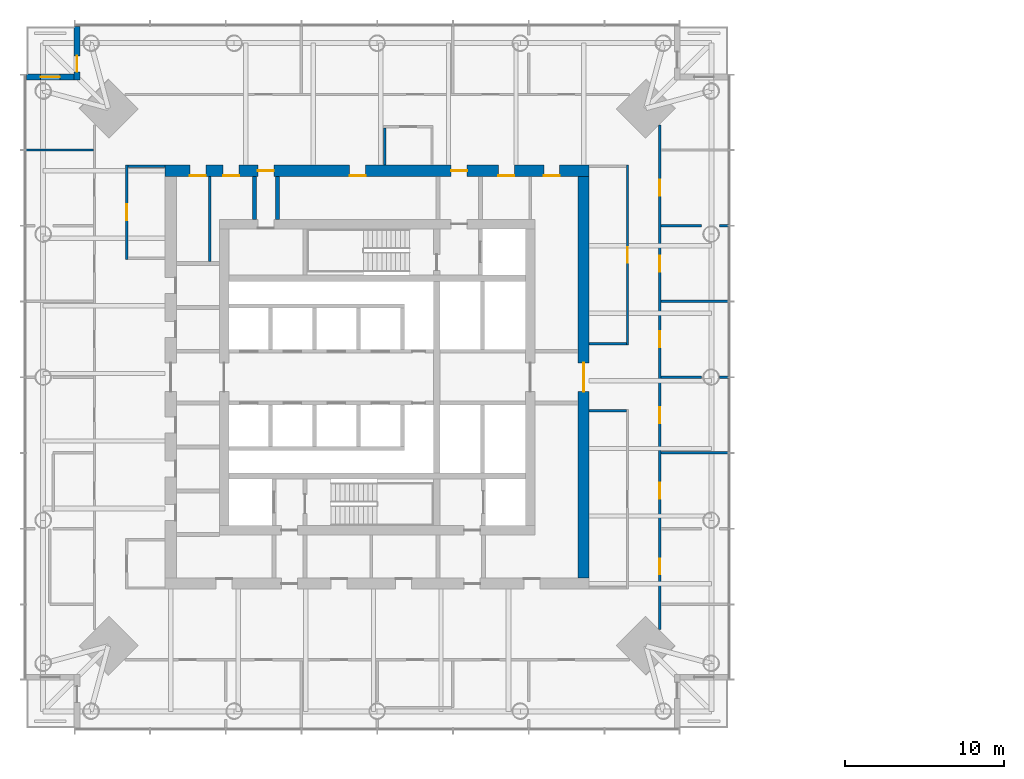
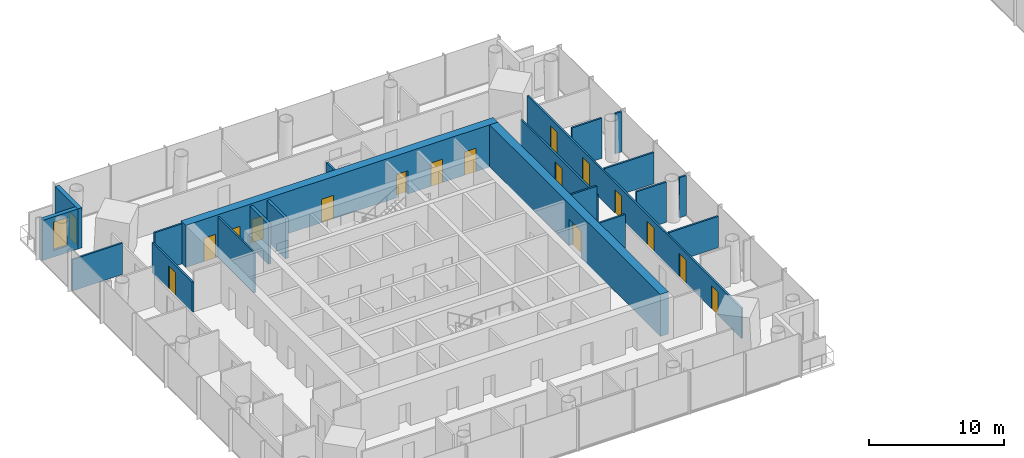
# One storey, part 11 of 19: 21 walls, 17 doors, 1 window, 18 openings.
"""IFC4 building model written with IfcOpenShell, lengths in metres."""

from ifc_helpers import new_model, si_unit, direction, frame, frame_2d, origin, place, context, subcontext, project, spatial, rectangle, extrude, material, layer, layer_set, type_object, element, fill, save


model = new_model("IFC4")

# Units and contexts
model_context = context("Model", 3, precision=1e-05, world=origin(), true_north=direction((0.0, 1.0)))
body_context = subcontext(model_context, "Body", "Model", "MODEL_VIEW")
ifc_project = project(units=[si_unit("LENGTHUNIT", "METRE"), si_unit("AREAUNIT", "SQUARE_METRE"), si_unit("VOLUMEUNIT", "CUBIC_METRE"), si_unit("PLANEANGLEUNIT", "RADIAN"), si_unit("MASSUNIT", "GRAM", prefix="KILO")], contexts=[model_context])

# Site, building, storey
site_placement = place(None, origin())
site = spatial("IfcSite", under=ifc_project, at=site_placement, CompositionType="ELEMENT")
building_placement = place(site_placement, origin())
building = spatial("IfcBuilding", under=site, at=building_placement, Name="Ostroluk Exchange", CompositionType="ELEMENT")
storey_placement = place(building_placement, frame((0.0, 0.0, 116.0)))
storey = spatial("IfcBuildingStorey", under=building, at=storey_placement, Name="L29", CompositionType="ELEMENT", Elevation=116.0)

# Walls
ifc_material_1 = material(Name="Concrete blockwork", Category="masonry")
ifc_layer_1 = layer(ifc_material_1, 0.14990234375)
ifc_layer_set_1 = layer_set([ifc_layer_1], Name="Blockwork plant room wall 150")
wall_type_1 = type_object("IfcWallType", Name="Blockwork plant room wall 150", PredefinedType="SOLIDWALL", material=ifc_layer_set_1)
wall_1_placement = place(storey_placement, frame((34.5009765625, 53.25, 0.0), z_axis=(0.0, 0.0, 1.0), x_axis=(0.0, 1.0, 0.0)))
element("IfcWall", 1, at=wall_1_placement, inside=storey, type_object=wall_type_1, Name="Core room wall", PredefinedType="SOLIDWALL", context=body_context, shape_type="SweptSolid", body=[
    extrude(rectangle(XDim=5.35009765625, YDim=0.14990234375, at=frame_2d((2.675048828125, 0.0))), origin(), (0.0, 0.0, 1.0), 3.6201171875),
])
ifc_material_2 = material(Name="Concrete blockwork", Category="masonry")
ifc_layer_2 = layer(ifc_material_2, 0.25)
ifc_layer_set_2 = layer_set([ifc_layer_2], Name="Blockwork stair enclosure wall 250")
wall_type_2 = type_object("IfcWallType", Name="Blockwork stair enclosure wall 250", PredefinedType="SOLIDWALL", material=ifc_layer_set_2)
for number, where, z_axis, x_axis, name in (
    (2, (37.300048828125, 55.89990234375, 0.0), (0.0, 0.0, 1.0), (0.0, 1.0, 0.0), "Core corridor wall"),
    (3, (38.75, 55.89990234375, 0.0), (0.0, 0.0, 1.0), (0.0, 1.0, 0.0), "Core corridor wall"),
):
    element("IfcWall", number, at=place(storey_placement, frame(where, z_axis=z_axis, x_axis=x_axis)), inside=storey, type_object=wall_type_2, Name=name, PredefinedType="SOLIDWALL", context=body_context, shape_type="SweptSolid", body=[
        extrude(rectangle(XDim=2.7001953125, YDim=0.25, at=frame_2d((1.35009765625, 0.0))), origin(), (0.0, 0.0, 1.0), 3.6201171875),
    ])

# Wall, openings, doors
ifc_material_3 = material(Name="Concrete C50/60", Category="concrete")
ifc_layer_3 = layer(ifc_material_3, 0.699951171875)
ifc_layer_set_3 = layer_set([ifc_layer_3], Name="Core wall 700 C50/60")
wall_type_3 = type_object("IfcWallType", Name="Core wall 700 C50/60", PredefinedType="SHEAR", material=ifc_layer_set_3)
wall_2_placement = place(storey_placement, frame((31.699951171875, 58.949951171875, 0.0), z_axis=(0.0, 0.0, 1.0), x_axis=(1.0, 0.0, 0.0)))
wall_2 = element("IfcWall", 4, at=wall_2_placement, inside=storey, type_object=wall_type_3, Name="T1 core wall RN", PredefinedType="SHEAR", context=body_context, shape_type="SweptSolid", body=[
    extrude(rectangle(XDim=26.60009765625, YDim=0.699951171875, at=frame_2d((13.300048828125, 0.0))), origin(), (0.0, 0.0, 1.0), 3.800048828125),
])
opening_1_placement = place(wall_2_placement, frame((17.93994140625, 0.0, 0.0)))
opening_1 = element("IfcOpeningElement", 5, at=opening_1_placement, cuts=wall_2, Name="Opening FD60", PredefinedType="OPENING", context=body_context, shape_type="SweptSolid", body=[
    extrude(rectangle(XDim=1.0, YDim=2.10009765625, at=frame_2d((0.5, 1.050048828125))), frame((0.0, 0.35986328125, 0.0), z_axis=(0.0, -1.0, 0.0), x_axis=(1.0, 0.0, 0.0)), (0.0, 0.0, 1.0), 0.719970703125),
])
opening_2_placement = place(wall_2_placement, frame((5.824951171875, 0.0, 0.0)))
opening_2 = element("IfcOpeningElement", 6, at=opening_2_placement, cuts=wall_2, Name="Opening FD60", PredefinedType="OPENING", context=body_context, shape_type="SweptSolid", body=[
    extrude(rectangle(XDim=1.0, YDim=2.10009765625, at=frame_2d((0.5, 1.050048828125))), frame((0.0, 0.35986328125, 0.0), z_axis=(0.0, -1.0, 0.0), x_axis=(1.0, 0.0, 0.0)), (0.0, 0.0, 1.0), 0.719970703125),
])
opening_3_placement = place(wall_2_placement, frame((1.551025390625, 0.0, 0.0)))
opening_3 = element("IfcOpeningElement", 7, at=opening_3_placement, cuts=wall_2, Name="Opening FD60", PredefinedType="OPENING", context=body_context, shape_type="SweptSolid", body=[
    extrude(rectangle(XDim=1.0, YDim=2.10009765625, at=frame_2d((0.5, 1.050048828125))), frame((0.0, 0.35986328125, 0.0), z_axis=(0.0, -1.0, 0.0), x_axis=(1.0, 0.0, 0.0)), (0.0, 0.0, 1.0), 0.719970703125),
])
opening_4_placement = place(wall_2_placement, frame((3.637939453125, 0.0, 0.0)))
opening_4 = element("IfcOpeningElement", 8, at=opening_4_placement, cuts=wall_2, Name="Opening FD60", PredefinedType="OPENING", context=body_context, shape_type="SweptSolid", body=[
    extrude(rectangle(XDim=1.0, YDim=2.10009765625, at=frame_2d((0.5, 1.050048828125))), frame((0.0, 0.35986328125, 0.0), z_axis=(0.0, -1.0, 0.0), x_axis=(1.0, 0.0, 0.0)), (0.0, 0.0, 1.0), 0.719970703125),
])
opening_5_placement = place(wall_2_placement, frame((11.577392578125, 0.0, 0.0)))
opening_5 = element("IfcOpeningElement", 9, at=opening_5_placement, cuts=wall_2, Name="Opening FD60", PredefinedType="OPENING", context=body_context, shape_type="SweptSolid", body=[
    extrude(rectangle(XDim=1.0, YDim=2.10009765625, at=frame_2d((0.5, 1.050048828125))), frame((0.0, 0.35986328125, 0.0), z_axis=(0.0, -1.0, 0.0), x_axis=(1.0, 0.0, 0.0)), (0.0, 0.0, 1.0), 0.719970703125),
])
opening_6_placement = place(wall_2_placement, frame((20.89990234375, 0.0, 0.0)))
opening_6 = element("IfcOpeningElement", 10, at=opening_6_placement, cuts=wall_2, Name="Opening FD60", PredefinedType="OPENING", context=body_context, shape_type="SweptSolid", body=[
    extrude(rectangle(XDim=1.0, YDim=2.10009765625, at=frame_2d((0.5, 1.050048828125))), frame((0.0, 0.35986328125, 0.0), z_axis=(0.0, -1.0, 0.0), x_axis=(1.0, 0.0, 0.0)), (0.0, 0.0, 1.0), 0.719970703125),
])
opening_7_placement = place(wall_2_placement, frame((23.75, 0.0, 0.0)))
opening_7 = element("IfcOpeningElement", 11, at=opening_7_placement, cuts=wall_2, Name="Opening FD60", PredefinedType="OPENING", context=body_context, shape_type="SweptSolid", body=[
    extrude(rectangle(XDim=1.0, YDim=2.10009765625, at=frame_2d((0.5, 1.050048828125))), frame((0.0, 0.35986328125, 0.0), z_axis=(0.0, -1.0, 0.0), x_axis=(1.0, 0.0, 0.0)), (0.0, 0.0, 1.0), 0.719970703125),
])
ifc_material_4 = material(Name="Steel", Category="steel")
door_type_1 = type_object("IfcDoorType", Name="Fire door EI 60 1000 x 2100", OperationType="SINGLE_SWING_LEFT", PredefinedType="DOOR", material=ifc_material_4)
door_1_placement = place(opening_1_placement, origin())
door_1 = element("IfcDoor", 12, at=door_1_placement, inside=storey, type_object=door_type_1, Name="Firefighting lobby door", OperationType="SINGLE_SWING_RIGHT", OverallHeight=2.10009765625, OverallWidth=1.0, PredefinedType="DOOR", context=body_context, shape_type="SweptSolid", body=[
    extrude(rectangle(XDim=1.0, YDim=2.10009765625, at=frame_2d((0.5, 1.050048828125))), frame((0.0, 0.02490234375, 0.0), z_axis=(0.0, -1.0, 0.0), x_axis=(1.0, 0.0, 0.0)), (0.0, 0.0, 1.0), 0.050048828125),
])
fill(opening_1, door_1)
door_2_placement = place(opening_2_placement, origin())
door_2 = element("IfcDoor", 13, at=door_2_placement, inside=storey, type_object=door_type_1, Name="Core corridor door", OperationType="SINGLE_SWING_LEFT", OverallHeight=2.10009765625, OverallWidth=1.0, PredefinedType="DOOR", context=body_context, shape_type="SweptSolid", body=[
    extrude(rectangle(XDim=1.0, YDim=2.10009765625, at=frame_2d((0.5, 1.050048828125))), frame((0.0, 0.02490234375, 0.0), z_axis=(0.0, -1.0, 0.0), x_axis=(1.0, 0.0, 0.0)), (0.0, 0.0, 1.0), 0.050048828125),
])
fill(opening_2, door_2)
door_3_placement = place(opening_3_placement, origin())
door_3 = element("IfcDoor", 14, at=door_3_placement, inside=storey, type_object=door_type_1, Name="Tenant IT room door", OperationType="SINGLE_SWING_LEFT", OverallHeight=2.10009765625, OverallWidth=1.0, PredefinedType="DOOR", context=body_context, shape_type="SweptSolid", body=[
    extrude(rectangle(XDim=1.0, YDim=2.10009765625, at=frame_2d((0.5, 1.050048828125))), frame((0.0, -0.2900390625, 0.0), z_axis=(0.0, -1.0, 0.0), x_axis=(1.0, 0.0, 0.0)), (0.0, 0.0, 1.0), 0.050048828125),
])
fill(opening_3, door_3)
door_4_placement = place(opening_4_placement, origin())
door_4 = element("IfcDoor", 15, at=door_4_placement, inside=storey, type_object=door_type_1, Name="First aid room door", OperationType="SINGLE_SWING_LEFT", OverallHeight=2.10009765625, OverallWidth=1.0, PredefinedType="DOOR", context=body_context, shape_type="SweptSolid", body=[
    extrude(rectangle(XDim=1.0, YDim=2.10009765625, at=frame_2d((0.5, 1.050048828125))), frame((0.0, -0.2900390625, 0.0), z_axis=(0.0, -1.0, 0.0), x_axis=(1.0, 0.0, 0.0)), (0.0, 0.0, 1.0), 0.050048828125),
])
fill(opening_4, door_4)
door_5_placement = place(opening_5_placement, origin())
door_5 = element("IfcDoor", 16, at=door_5_placement, inside=storey, type_object=door_type_1, Name="Print and post room door", OperationType="SINGLE_SWING_LEFT", OverallHeight=2.10009765625, OverallWidth=1.0, PredefinedType="DOOR", context=body_context, shape_type="SweptSolid", body=[
    extrude(rectangle(XDim=1.0, YDim=2.10009765625, at=frame_2d((0.5, 1.050048828125))), frame((0.0, -0.2900390625, 0.0), z_axis=(0.0, -1.0, 0.0), x_axis=(1.0, 0.0, 0.0)), (0.0, 0.0, 1.0), 0.050048828125),
])
fill(opening_5, door_5)
door_6_placement = place(opening_6_placement, origin())
door_6 = element("IfcDoor", 17, at=door_6_placement, inside=storey, type_object=door_type_1, Name="First aid room door", OperationType="SINGLE_SWING_RIGHT", OverallHeight=2.10009765625, OverallWidth=1.0, PredefinedType="DOOR", context=body_context, shape_type="SweptSolid", body=[
    extrude(rectangle(XDim=1.0, YDim=2.10009765625, at=frame_2d((0.5, 1.050048828125))), frame((0.0, -0.2900390625, 0.0), z_axis=(0.0, -1.0, 0.0), x_axis=(1.0, 0.0, 0.0)), (0.0, 0.0, 1.0), 0.050048828125),
])
fill(opening_6, door_6)
door_7_placement = place(opening_7_placement, origin())
door_7 = element("IfcDoor", 18, at=door_7_placement, inside=storey, type_object=door_type_1, Name="Tea point door", OperationType="SINGLE_SWING_RIGHT", OverallHeight=2.10009765625, OverallWidth=1.0, PredefinedType="DOOR", context=body_context, shape_type="SweptSolid", body=[
    extrude(rectangle(XDim=1.0, YDim=2.10009765625, at=frame_2d((0.5, 1.050048828125))), frame((0.0, -0.2900390625, 0.0), z_axis=(0.0, -1.0, 0.0), x_axis=(1.0, 0.0, 0.0)), (0.0, 0.0, 1.0), 0.050048828125),
])
fill(opening_7, door_7)

# Wall, opening, door
wall_3_placement = place(storey_placement, frame((57.949951171875, 33.39990234375, 0.0), z_axis=(0.0, 0.0, 1.0), x_axis=(0.0, 1.0, 0.0)))
wall_3 = element("IfcWall", 19, at=wall_3_placement, inside=storey, type_object=wall_type_3, Name="T1 core wall RE", PredefinedType="SHEAR", context=body_context, shape_type="SweptSolid", body=[
    extrude(rectangle(XDim=25.2001953125, YDim=0.699951171875, at=frame_2d((12.60009765625, 0.0))), origin(), (0.0, 0.0, 1.0), 3.800048828125),
])
opening_8_placement = place(wall_3_placement, frame((11.699951171875, 0.0, 0.0)))
opening_8 = element("IfcOpeningElement", 20, at=opening_8_placement, cuts=wall_3, Name="Opening FD30D", PredefinedType="OPENING", context=body_context, shape_type="SweptSolid", body=[
    extrude(rectangle(XDim=1.800048828125, YDim=2.39990234375, at=frame_2d((0.89990234375, 1.199951171875))), frame((0.0, 0.35986328125, 0.0), z_axis=(0.0, -1.0, 0.0), x_axis=(1.0, 0.0, 0.0)), (0.0, 0.0, 1.0), 0.719970703125),
])
ifc_material_5 = material(Name="Timber", Category="wood")
door_type_2 = type_object("IfcDoorType", Name="Lobby double door EI 30 1800 x 2400", OperationType="DOUBLE_DOOR_SINGLE_SWING", PredefinedType="DOOR", material=ifc_material_5)
door_8_placement = place(opening_8_placement, origin())
door_8 = element("IfcDoor", 21, at=door_8_placement, inside=storey, type_object=door_type_2, Name="Lift lobby doors", OperationType="DOUBLE_DOOR_SINGLE_SWING", OverallHeight=2.39990234375, OverallWidth=1.800048828125, PredefinedType="DOOR", context=body_context, shape_type="SweptSolid", body=[
    extrude(rectangle(XDim=1.800048828125, YDim=2.39990234375, at=frame_2d((0.89990234375, 1.199951171875))), frame((0.0, 0.02490234375, 0.0), z_axis=(0.0, -1.0, 0.0), x_axis=(1.0, 0.0, 0.0)), (0.0, 0.0, 1.0), 0.050048828125),
])
fill(opening_8, door_8)

ifc_material_6 = material(Name="Limestone", Category="masonry")
ifc_layer_4 = layer(ifc_material_6, 0.35009765625)
ifc_layer_set_4 = layer_set([ifc_layer_4], Name="Limestone facade wall 350")
wall_type_4 = type_object("IfcWallType", Name="Limestone facade wall 350", PredefinedType="SOLIDWALL", material=ifc_layer_set_4)
wall_4_placement = place(storey_placement, frame((26.175048828125, 68.0, 0.0), z_axis=(0.0, 0.0, 1.0), x_axis=(0.0, -1.0, 0.0)))
wall_4 = element("IfcWall", 22, at=wall_4_placement, inside=storey, type_object=wall_type_4, Name="Office tower NW corner wall L29 a", PredefinedType="SOLIDWALL", context=body_context, shape_type="SweptSolid", body=[
    extrude(rectangle(XDim=3.35009765625, YDim=0.35009765625, at=frame_2d((1.675048828125, 0.0))), origin(), (0.0, 0.0, 1.0), 3.6201171875),
])
opening_9_placement = place(wall_4_placement, frame((1.85009765625, 0.0, 0.0)))
opening_9 = element("IfcOpeningElement", 23, at=opening_9_placement, cuts=wall_4, Name="Opening D-B1", PredefinedType="OPENING", context=body_context, shape_type="SweptSolid", body=[
    extrude(rectangle(XDim=1.0, YDim=2.39990234375, at=frame_2d((0.5, 1.199951171875))), frame((0.0, 0.18505859375, 0.0), z_axis=(0.0, -1.0, 0.0), x_axis=(1.0, 0.0, 0.0)), (0.0, 0.0, 1.0), 0.3701171875),
])
ifc_material_7 = material(Name="Bronze framed glazed door", Category="aluminium")
door_type_3 = type_object("IfcDoorType", Name="Balcony door 1000 x 2400", OperationType="SINGLE_SWING_LEFT", PredefinedType="DOOR", material=ifc_material_7)
door_9_placement = place(opening_9_placement, origin())
door_9 = element("IfcDoor", 24, at=door_9_placement, inside=storey, type_object=door_type_3, Name="Office tower NW balcony door L29", OperationType="SINGLE_SWING_RIGHT", OverallHeight=2.39990234375, OverallWidth=1.0, PredefinedType="DOOR", context=body_context, shape_type="SweptSolid", body=[
    extrude(rectangle(XDim=1.0, YDim=2.39990234375, at=frame_2d((0.5, 1.199951171875))), frame((0.0, 0.02490234375, 0.0), z_axis=(0.0, -1.0, 0.0), x_axis=(1.0, 0.0, 0.0)), (0.0, 0.0, 1.0), 0.050048828125),
])
fill(opening_9, door_9)

# Wall, opening, window
wall_5_placement = place(storey_placement, frame((26.0, 64.824951171875, 0.0), z_axis=(0.0, 0.0, 1.0), x_axis=(-1.0, 0.0, 0.0)))
wall_5 = element("IfcWall", 25, at=wall_5_placement, inside=storey, type_object=wall_type_4, Name="Office tower NW corner wall L29 b", PredefinedType="SOLIDWALL", context=body_context, shape_type="SweptSolid", body=[
    extrude(rectangle(XDim=3.0, YDim=0.35009765625, at=frame_2d((1.5, 0.0))), origin(), (0.0, 0.0, 1.0), 3.6201171875),
])
opening_10_placement = place(wall_5_placement, frame((0.89990234375, 0.0, 0.60009765625)))
opening_10 = element("IfcOpeningElement", 26, at=opening_10_placement, cuts=wall_5, Name="Opening WN-L1", PredefinedType="OPENING", context=body_context, shape_type="SweptSolid", body=[
    extrude(rectangle(XDim=1.199951171875, YDim=2.550048828125, at=frame_2d((0.60009765625, 1.27490234375))), frame((0.0, 0.18505859375, 0.0), z_axis=(0.0, -1.0, 0.0), x_axis=(1.0, 0.0, 0.0)), (0.0, 0.0, 1.0), 0.3701171875),
])
ifc_material_8 = material(Name="Laminated clear glass", Category="glass")
window_type = type_object("IfcWindowType", Name="Lancet window 1200 x 2550", PartitioningType="SINGLE_PANEL", PredefinedType="WINDOW", material=ifc_material_8)
window_placement = place(opening_10_placement, origin())
window = element("IfcWindow", 27, at=window_placement, inside=storey, type_object=window_type, Name="Office tower NW lancet window L29", OverallHeight=2.550048828125, OverallWidth=1.199951171875, PartitioningType="SINGLE_PANEL", PredefinedType="WINDOW", context=body_context, shape_type="SweptSolid", body=[
    extrude(rectangle(XDim=1.199951171875, YDim=2.550048828125, at=frame_2d((0.60009765625, 1.27490234375))), frame((0.0, 0.030029296875, 0.0), z_axis=(0.0, -1.0, 0.0), x_axis=(1.0, 0.0, 0.0)), (0.0, 0.0, 1.0), 0.06005859375),
])
fill(opening_10, window)

# Wall
ifc_material_9 = material(Name="Gypsum plasterboard partition", Category="gypsum")
ifc_layer_5 = layer(ifc_material_9, 0.14990234375)
ifc_layer_set_5 = layer_set([ifc_layer_5], Name="Plasterboard partition 150")
wall_type_5 = type_object("IfcWallType", Name="Plasterboard partition 150", PredefinedType="PARTITIONING", material=ifc_layer_set_5)
wall_6_placement = place(storey_placement, frame((58.300048828125, 43.89990234375, 0.0), z_axis=(0.0, 0.0, 1.0), x_axis=(1.0, 0.0, 0.0)))
element("IfcWall", 28, at=wall_6_placement, inside=storey, type_object=wall_type_5, Name="Partition", PredefinedType="PARTITIONING", context=body_context, shape_type="SweptSolid", body=[
    extrude(rectangle(XDim=2.324951171875, YDim=0.14990234375, at=frame_2d((1.16259765625, 0.0))), origin(), (0.0, 0.0, 1.0), 3.6201171875),
])

# Wall, opening, door
wall_7_placement = place(storey_placement, frame((60.699951171875, 48.02490234375, 0.0), z_axis=(0.0, 0.0, 1.0), x_axis=(0.0, 1.0, 0.0)))
wall_7 = element("IfcWall", 29, at=wall_7_placement, inside=storey, type_object=wall_type_5, Name="Partition", PredefinedType="PARTITIONING", context=body_context, shape_type="SweptSolid", body=[
    extrude(rectangle(XDim=11.275146484375, YDim=0.14990234375, at=frame_2d((5.6376953125, 0.0))), origin(), (0.0, 0.0, 1.0), 2.805908203125),
])
opening_11_placement = place(wall_7_placement, frame((5.137451171875, 0.0, 0.0)))
opening_11 = element("IfcOpeningElement", 30, at=opening_11_placement, cuts=wall_7, Name="Opening D-03", PredefinedType="OPENING", context=body_context, shape_type="SweptSolid", body=[
    extrude(rectangle(XDim=1.0, YDim=2.10009765625, at=frame_2d((0.5, 1.050048828125))), frame((0.0, 0.0849609375, 0.0), z_axis=(0.0, -1.0, 0.0), x_axis=(1.0, 0.0, 0.0)), (0.0, 0.0, 1.0), 0.169921875),
])
ifc_material_10 = material(Name="Timber", Category="wood")
door_type_4 = type_object("IfcDoorType", Name="Internal door 1000 x 2100", OperationType="SINGLE_SWING_LEFT", PredefinedType="DOOR", material=ifc_material_10)
door_10_placement = place(opening_11_placement, origin())
door_10 = element("IfcDoor", 31, at=door_10_placement, inside=storey, type_object=door_type_4, Name="Interview room door", OperationType="SINGLE_SWING_RIGHT", OverallHeight=2.10009765625, OverallWidth=1.0, PredefinedType="DOOR", context=body_context, shape_type="SweptSolid", body=[
    extrude(rectangle(XDim=1.0, YDim=2.10009765625, at=frame_2d((0.5, 1.050048828125))), frame((0.0, 0.02490234375, 0.0), z_axis=(0.0, -1.0, 0.0), x_axis=(1.0, 0.0, 0.0)), (0.0, 0.0, 1.0), 0.050048828125),
])
fill(opening_11, door_10)

# Walls
wall_8_placement = place(storey_placement, frame((58.300048828125, 48.10009765625, 0.0), z_axis=(0.0, 0.0, 1.0), x_axis=(1.0, 0.0, 0.0)))
element("IfcWall", 32, at=wall_8_placement, inside=storey, type_object=wall_type_5, Name="Partition", PredefinedType="PARTITIONING", context=body_context, shape_type="SweptSolid", body=[
    extrude(rectangle(XDim=2.324951171875, YDim=0.14990234375, at=frame_2d((1.16259765625, 0.0))), origin(), (0.0, 0.0, 1.0), 3.6201171875),
])
wall_9_placement = place(storey_placement, frame((45.4775390625, 59.300048828125, 0.0), z_axis=(0.0, 0.0, 1.0), x_axis=(0.0, 1.0, 0.0)))
element("IfcWall", 33, at=wall_9_placement, inside=storey, type_object=wall_type_5, Name="Partition", PredefinedType="PARTITIONING", context=body_context, shape_type="SweptSolid", body=[
    extrude(rectangle(XDim=2.324951171875, YDim=0.14990234375, at=frame_2d((1.16259765625, 0.0))), origin(), (0.0, 0.0, 1.0), 2.85791015625),
])

# Wall, opening, door
wall_10_placement = place(storey_placement, frame((29.300048828125, 59.300048828125, 0.0), z_axis=(0.0, 0.0, 1.0), x_axis=(0.0, -1.0, 0.0)))
wall_10 = element("IfcWall", 34, at=wall_10_placement, inside=storey, type_object=wall_type_5, Name="Partition", PredefinedType="PARTITIONING", context=body_context, shape_type="SweptSolid", body=[
    extrude(rectangle(XDim=5.925048828125, YDim=0.14990234375, at=frame_2d((2.96240234375, 0.0))), origin(), (0.0, 0.0, 1.0), 2.719970703125),
])
opening_12_placement = place(wall_10_placement, frame((2.46240234375, 0.0, 0.0)))
opening_12 = element("IfcOpeningElement", 35, at=opening_12_placement, cuts=wall_10, Name="Opening D-03", PredefinedType="OPENING", context=body_context, shape_type="SweptSolid", body=[
    extrude(rectangle(XDim=1.0, YDim=2.10009765625, at=frame_2d((0.5, 1.050048828125))), frame((0.0, 0.0849609375, 0.0), z_axis=(0.0, -1.0, 0.0), x_axis=(1.0, 0.0, 0.0)), (0.0, 0.0, 1.0), 0.169921875),
])
door_11_placement = place(opening_12_placement, origin())
door_11 = element("IfcDoor", 36, at=door_11_placement, inside=storey, type_object=door_type_4, Name="Interview room door", OperationType="SINGLE_SWING_RIGHT", OverallHeight=2.10009765625, OverallWidth=1.0, PredefinedType="DOOR", context=body_context, shape_type="SweptSolid", body=[
    extrude(rectangle(XDim=1.0, YDim=2.10009765625, at=frame_2d((0.5, 1.050048828125))), frame((0.0, 0.02490234375, 0.0), z_axis=(0.0, -1.0, 0.0), x_axis=(1.0, 0.0, 0.0)), (0.0, 0.0, 1.0), 0.050048828125),
])
fill(opening_12, door_11)

# Wall
wall_11_placement = place(storey_placement, frame((31.699951171875, 59.22509765625, 0.0), z_axis=(0.0, 0.0, 1.0), x_axis=(-1.0, 0.0, 0.0)))
element("IfcWall", 37, at=wall_11_placement, inside=storey, type_object=wall_type_5, Name="Partition", PredefinedType="PARTITIONING", context=body_context, shape_type="SweptSolid", body=[
    extrude(rectangle(XDim=2.324951171875, YDim=0.14990234375, at=frame_2d((1.16259765625, 0.0))), origin(), (0.0, 0.0, 1.0), 3.6201171875),
])

# Wall, openings, doors
wall_12_placement = place(storey_placement, frame((62.72509765625, 30.1884765625, 0.0), z_axis=(0.0, 0.0, 1.0), x_axis=(0.0, 1.0, 0.0)))
wall_12 = element("IfcWall", 38, at=wall_12_placement, inside=storey, type_object=wall_type_5, Name="Partition", PredefinedType="PARTITIONING", context=body_context, shape_type="SweptSolid", body=[
    extrude(rectangle(XDim=31.623046875, YDim=0.14990234375, at=frame_2d((15.8115234375, 0.0))), origin(), (0.0, 0.0, 1.0), 2.719970703125),
])
opening_13_placement = place(wall_12_placement, frame((3.4365234375, 0.0, 0.0)))
opening_13 = element("IfcOpeningElement", 39, at=opening_13_placement, cuts=wall_12, Name="Opening D-03", PredefinedType="OPENING", context=body_context, shape_type="SweptSolid", body=[
    extrude(rectangle(XDim=1.0, YDim=2.10009765625, at=frame_2d((0.5, 1.050048828125))), frame((0.0, 0.0849609375, 0.0), z_axis=(0.0, -1.0, 0.0), x_axis=(1.0, 0.0, 0.0)), (0.0, 0.0, 1.0), 0.169921875),
])
opening_14_placement = place(wall_12_placement, frame((8.1865234375, 0.0, 0.0)))
opening_14 = element("IfcOpeningElement", 40, at=opening_14_placement, cuts=wall_12, Name="Opening D-03", PredefinedType="OPENING", context=body_context, shape_type="SweptSolid", body=[
    extrude(rectangle(XDim=1.0, YDim=2.10009765625, at=frame_2d((0.5, 1.050048828125))), frame((0.0, 0.0849609375, 0.0), z_axis=(0.0, -1.0, 0.0), x_axis=(1.0, 0.0, 0.0)), (0.0, 0.0, 1.0), 0.169921875),
])
opening_15_placement = place(wall_12_placement, frame((12.9365234375, 0.0, 0.0)))
opening_15 = element("IfcOpeningElement", 41, at=opening_15_placement, cuts=wall_12, Name="Opening D-03", PredefinedType="OPENING", context=body_context, shape_type="SweptSolid", body=[
    extrude(rectangle(XDim=1.0, YDim=2.10009765625, at=frame_2d((0.5, 1.050048828125))), frame((0.0, 0.0849609375, 0.0), z_axis=(0.0, -1.0, 0.0), x_axis=(1.0, 0.0, 0.0)), (0.0, 0.0, 1.0), 0.169921875),
])
opening_16_placement = place(wall_12_placement, frame((17.6865234375, 0.0, 0.0)))
opening_16 = element("IfcOpeningElement", 42, at=opening_16_placement, cuts=wall_12, Name="Opening D-03", PredefinedType="OPENING", context=body_context, shape_type="SweptSolid", body=[
    extrude(rectangle(XDim=1.0, YDim=2.10009765625, at=frame_2d((0.5, 1.050048828125))), frame((0.0, 0.0849609375, 0.0), z_axis=(0.0, -1.0, 0.0), x_axis=(1.0, 0.0, 0.0)), (0.0, 0.0, 1.0), 0.169921875),
])
opening_17_placement = place(wall_12_placement, frame((22.4365234375, 0.0, 0.0)))
opening_17 = element("IfcOpeningElement", 43, at=opening_17_placement, cuts=wall_12, Name="Opening D-03", PredefinedType="OPENING", context=body_context, shape_type="SweptSolid", body=[
    extrude(rectangle(XDim=1.0, YDim=2.10009765625, at=frame_2d((0.5, 1.050048828125))), frame((0.0, 0.0849609375, 0.0), z_axis=(0.0, -1.0, 0.0), x_axis=(1.0, 0.0, 0.0)), (0.0, 0.0, 1.0), 0.169921875),
])
opening_18_placement = place(wall_12_placement, frame((27.1865234375, 0.0, 0.0)))
opening_18 = element("IfcOpeningElement", 44, at=opening_18_placement, cuts=wall_12, Name="Opening D-03", PredefinedType="OPENING", context=body_context, shape_type="SweptSolid", body=[
    extrude(rectangle(XDim=1.0, YDim=2.10009765625, at=frame_2d((0.5, 1.050048828125))), frame((0.0, 0.0849609375, 0.0), z_axis=(0.0, -1.0, 0.0), x_axis=(1.0, 0.0, 0.0)), (0.0, 0.0, 1.0), 0.169921875),
])
door_12_placement = place(opening_13_placement, origin())
door_12 = element("IfcDoor", 45, at=door_12_placement, inside=storey, type_object=door_type_4, Name="Office door", OperationType="SINGLE_SWING_LEFT", OverallHeight=2.10009765625, OverallWidth=1.0, PredefinedType="DOOR", context=body_context, shape_type="SweptSolid", body=[
    extrude(rectangle(XDim=1.0, YDim=2.10009765625, at=frame_2d((0.5, 1.050048828125))), frame((0.0, 0.02490234375, 0.0), z_axis=(0.0, -1.0, 0.0), x_axis=(1.0, 0.0, 0.0)), (0.0, 0.0, 1.0), 0.050048828125),
])
fill(opening_13, door_12)
door_13_placement = place(opening_14_placement, origin())
door_13 = element("IfcDoor", 46, at=door_13_placement, inside=storey, type_object=door_type_4, Name="Meeting room door", OperationType="SINGLE_SWING_LEFT", OverallHeight=2.10009765625, OverallWidth=1.0, PredefinedType="DOOR", context=body_context, shape_type="SweptSolid", body=[
    extrude(rectangle(XDim=1.0, YDim=2.10009765625, at=frame_2d((0.5, 1.050048828125))), frame((0.0, 0.02490234375, 0.0), z_axis=(0.0, -1.0, 0.0), x_axis=(1.0, 0.0, 0.0)), (0.0, 0.0, 1.0), 0.050048828125),
])
fill(opening_14, door_13)
door_14_placement = place(opening_15_placement, origin())
door_14 = element("IfcDoor", 47, at=door_14_placement, inside=storey, type_object=door_type_4, Name="Office door", OperationType="SINGLE_SWING_LEFT", OverallHeight=2.10009765625, OverallWidth=1.0, PredefinedType="DOOR", context=body_context, shape_type="SweptSolid", body=[
    extrude(rectangle(XDim=1.0, YDim=2.10009765625, at=frame_2d((0.5, 1.050048828125))), frame((0.0, 0.02490234375, 0.0), z_axis=(0.0, -1.0, 0.0), x_axis=(1.0, 0.0, 0.0)), (0.0, 0.0, 1.0), 0.050048828125),
])
fill(opening_15, door_14)
door_15_placement = place(opening_16_placement, origin())
door_15 = element("IfcDoor", 48, at=door_15_placement, inside=storey, type_object=door_type_4, Name="Office door", OperationType="SINGLE_SWING_RIGHT", OverallHeight=2.10009765625, OverallWidth=1.0, PredefinedType="DOOR", context=body_context, shape_type="SweptSolid", body=[
    extrude(rectangle(XDim=1.0, YDim=2.10009765625, at=frame_2d((0.5, 1.050048828125))), frame((0.0, 0.02490234375, 0.0), z_axis=(0.0, -1.0, 0.0), x_axis=(1.0, 0.0, 0.0)), (0.0, 0.0, 1.0), 0.050048828125),
])
fill(opening_16, door_15)
door_16_placement = place(opening_17_placement, origin())
door_16 = element("IfcDoor", 49, at=door_16_placement, inside=storey, type_object=door_type_4, Name="Office door", OperationType="SINGLE_SWING_RIGHT", OverallHeight=2.10009765625, OverallWidth=1.0, PredefinedType="DOOR", context=body_context, shape_type="SweptSolid", body=[
    extrude(rectangle(XDim=1.0, YDim=2.10009765625, at=frame_2d((0.5, 1.050048828125))), frame((0.0, 0.02490234375, 0.0), z_axis=(0.0, -1.0, 0.0), x_axis=(1.0, 0.0, 0.0)), (0.0, 0.0, 1.0), 0.050048828125),
])
fill(opening_17, door_16)
door_17_placement = place(opening_18_placement, origin())
door_17 = element("IfcDoor", 50, at=door_17_placement, inside=storey, type_object=door_type_4, Name="Office door", OperationType="SINGLE_SWING_RIGHT", OverallHeight=2.10009765625, OverallWidth=1.0, PredefinedType="DOOR", context=body_context, shape_type="SweptSolid", body=[
    extrude(rectangle(XDim=1.0, YDim=2.10009765625, at=frame_2d((0.5, 1.050048828125))), frame((0.0, 0.02490234375, 0.0), z_axis=(0.0, -1.0, 0.0), x_axis=(1.0, 0.0, 0.0)), (0.0, 0.0, 1.0), 0.050048828125),
])
fill(opening_18, door_17)

# Walls
wall_13_placement = place(storey_placement, frame((62.800048828125, 41.25, 0.0), z_axis=(0.0, 0.0, 1.0), x_axis=(1.0, 0.0, 0.0)))
element("IfcWall", 51, at=wall_13_placement, inside=storey, type_object=wall_type_5, Name="Partition", PredefinedType="PARTITIONING", context=body_context, shape_type="SweptSolid", body=[
    extrude(rectangle(XDim=4.239990234375, YDim=0.14990234375, at=frame_2d((2.1201171875, 0.0))), origin(), (0.0, 0.0, 1.0), 2.820068359375),
])
wall_14_placement = place(storey_placement, frame((62.800048828125, 46.0, 0.0), z_axis=(0.0, 0.0, 1.0), x_axis=(1.0, 0.0, 0.0)))
element("IfcWall", 52, at=wall_14_placement, inside=storey, type_object=wall_type_5, Name="Partition", PredefinedType="PARTITIONING", context=body_context, shape_type="SweptSolid", body=[
    extrude(rectangle(XDim=2.534912109375, YDim=0.14990234375, at=frame_2d((1.267578125, 0.0))), origin(), (0.0, 0.0, 1.0), 3.6201171875),
])
wall_15_placement = place(storey_placement, frame((66.47216796875, 46.0, 0.0), z_axis=(0.0, 0.0, 1.0), x_axis=(1.0, 0.0, 0.0)))
element("IfcWall", 53, at=wall_15_placement, inside=storey, type_object=wall_type_5, Name="Partition", PredefinedType="PARTITIONING", context=body_context, shape_type="SweptSolid", body=[
    extrude(rectangle(XDim=0.56787109375, YDim=0.14990234375, at=frame_2d((0.283935546875, 0.0))), origin(), (0.0, 0.0, 1.0), 3.6201171875),
])
wall_16_placement = place(storey_placement, frame((62.800048828125, 50.75, 0.0), z_axis=(0.0, 0.0, 1.0), x_axis=(1.0, 0.0, 0.0)))
element("IfcWall", 54, at=wall_16_placement, inside=storey, type_object=wall_type_5, Name="Partition", PredefinedType="PARTITIONING", context=body_context, shape_type="SweptSolid", body=[
    extrude(rectangle(XDim=4.239990234375, YDim=0.14990234375, at=frame_2d((2.1201171875, 0.0))), origin(), (0.0, 0.0, 1.0), 2.820068359375),
])
wall_17_placement = place(storey_placement, frame((62.800048828125, 55.5, 0.0), z_axis=(0.0, 0.0, 1.0), x_axis=(1.0, 0.0, 0.0)))
element("IfcWall", 55, at=wall_17_placement, inside=storey, type_object=wall_type_5, Name="Partition", PredefinedType="PARTITIONING", context=body_context, shape_type="SweptSolid", body=[
    extrude(rectangle(XDim=2.534912109375, YDim=0.14990234375, at=frame_2d((1.267578125, 0.0))), origin(), (0.0, 0.0, 1.0), 3.6201171875),
])
wall_18_placement = place(storey_placement, frame((66.47216796875, 55.5, 0.0), z_axis=(0.0, 0.0, 1.0), x_axis=(1.0, 0.0, 0.0)))
element("IfcWall", 56, at=wall_18_placement, inside=storey, type_object=wall_type_5, Name="Partition", PredefinedType="PARTITIONING", context=body_context, shape_type="SweptSolid", body=[
    extrude(rectangle(XDim=0.56787109375, YDim=0.14990234375, at=frame_2d((0.283935546875, 0.0))), origin(), (0.0, 0.0, 1.0), 3.6201171875),
])
wall_19_placement = place(storey_placement, frame((27.199951171875, 60.25, 0.0), z_axis=(0.0, 0.0, 1.0), x_axis=(-1.0, 0.0, 0.0)))
element("IfcWall", 57, at=wall_19_placement, inside=storey, type_object=wall_type_5, Name="Partition", PredefinedType="PARTITIONING", context=body_context, shape_type="SweptSolid", body=[
    extrude(rectangle(XDim=4.239990234375, YDim=0.14990234375, at=frame_2d((2.1201171875, 0.0))), origin(), (0.0, 0.0, 1.0), 2.820068359375),
])

save(model, "model.ifc")
